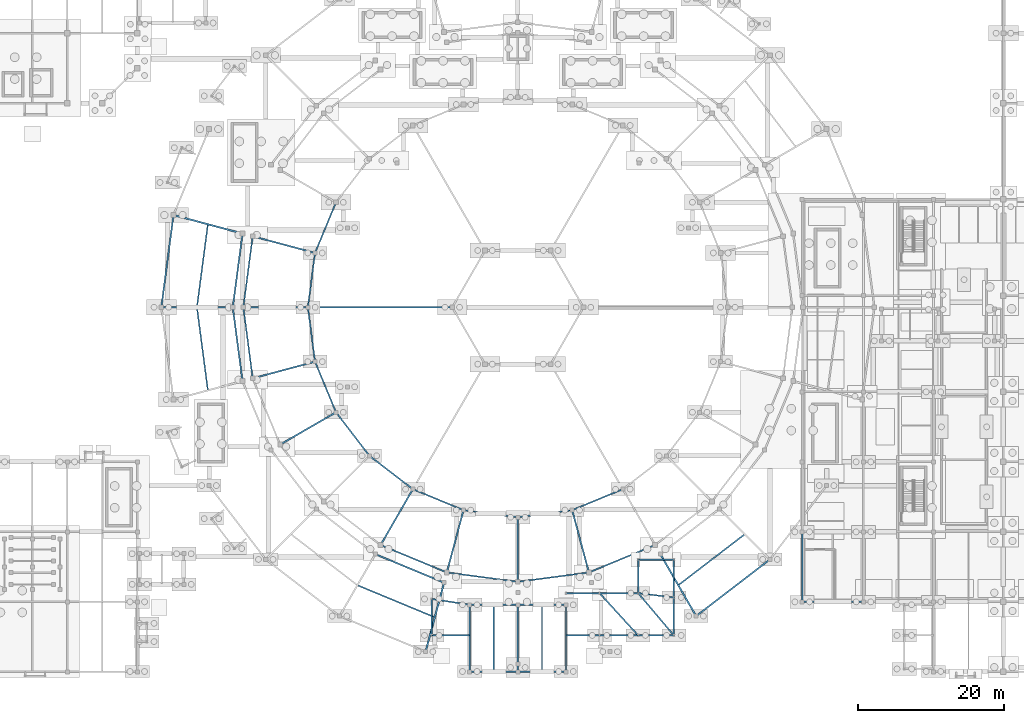
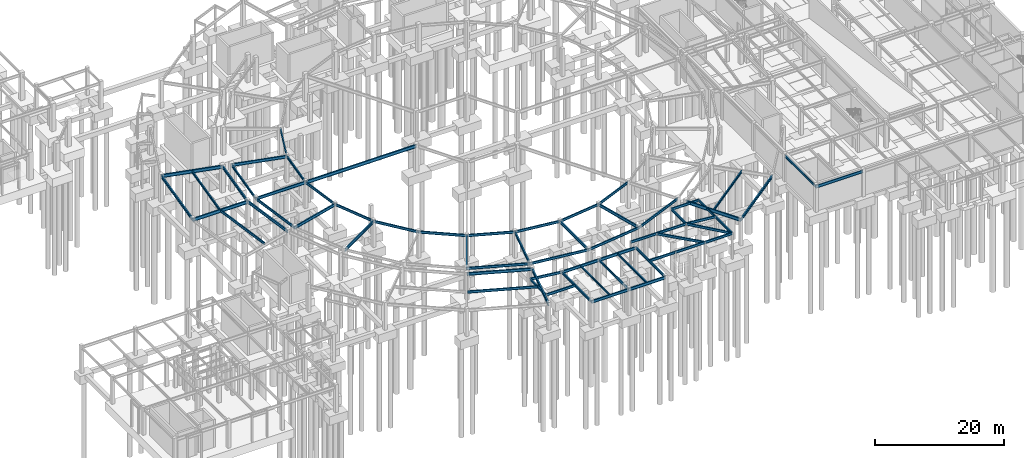
# One storey, part 38 of 55: 64 beams.
"""IFC4 building model written with IfcOpenShell, lengths in metres."""

import ifcopenshell
import ifcopenshell.guid

model = None  # the IFC model being written
_history = None  # IfcOwnerHistory: only IFC2X3 demands one
_inside = {}  # id of a spatial element -> (the spatial element, [elements in it])
_under = {}  # id of a project, library or spatial element -> (it, [spatial elements below it])
_declared = {}  # id of a project -> (the project, [libraries it declares])
_typed = {}  # id of a type object -> (the type object, [elements of that type])
_made_of = {}  # id of a material, layer set ... -> (it, [elements and type objects made of it])


def new_model(schema):
    """Start an empty IFC model of exactly this schema.

    Asked for "IFC4X3", IfcOpenShell would pick the latest addendum, in which some entities
    have other attributes; the version numbers below select the first issue.
    IFC2X3 requires an IfcOwnerHistory on every rooted entity: one is made here for all.
    """
    global model, _history
    if schema == "IFC4X3":
        model = ifcopenshell.file(schema_version=(4, 3, 0, 0))
    else:
        model = ifcopenshell.file(schema=schema)
    _inside.clear()
    _under.clear()
    _declared.clear()
    _typed.clear()
    _made_of.clear()
    _history = None
    if model.schema == "IFC2X3":
        org = make("IfcOrganization", Name="unknown")
        user = make(
            "IfcPersonAndOrganization",
            ThePerson=make("IfcPerson", FamilyName="unknown"),
            TheOrganization=org,
        )
        app = make(
            "IfcApplication",
            ApplicationDeveloper=org,
            Version="unknown",
            ApplicationFullName="unknown",
            ApplicationIdentifier="unknown",
        )
        _history = make(
            "IfcOwnerHistory",
            OwningUser=user,
            OwningApplication=app,
            ChangeAction="ADDED",
            CreationDate=0,
        )
    return model


def make(cls, **values):
    """One entity of the class cls with the attributes given. An attribute that is None is left unset."""
    return model.create_entity(
        cls, **{name: value for name, value in values.items() if value is not None}
    )


def rooted(cls, **values):
    """An entity with a GlobalId (a new one), such as an element, a storey or a relation."""
    return make(cls, GlobalId=ifcopenshell.guid.new(), OwnerHistory=_history, **values)


def si_unit(unit_type, name, prefix=None):
    """IfcSIUnit, for example si_unit("LENGTHUNIT", "METRE", prefix="MILLI")."""
    return make("IfcSIUnit", UnitType=unit_type, Prefix=prefix, Name=name)


def assignment(units):
    """IfcUnitAssignment: the units of a project."""
    return None if units is None else make("IfcUnitAssignment", Units=units)


def point(xyz):
    """IfcCartesianPoint."""
    return None if xyz is None else make("IfcCartesianPoint", Coordinates=xyz)


def direction(xyz):
    """IfcDirection."""
    return None if xyz is None else make("IfcDirection", DirectionRatios=xyz)


def frame(location, z_axis=None, x_axis=None):
    """IfcAxis2Placement3D, a coordinate frame: its origin and axes. An axis left out is left unset."""
    return make(
        "IfcAxis2Placement3D",
        Location=point(location),
        Axis=direction(z_axis),
        RefDirection=direction(x_axis),
    )


def frame_2d(location, x_axis=None):
    """IfcAxis2Placement2D, a coordinate frame in the plane: its origin and x axis."""
    return make(
        "IfcAxis2Placement2D", Location=point(location), RefDirection=direction(x_axis)
    )


def origin():
    """The frame at (0, 0, 0) with its axes left unset."""
    return frame((0.0, 0.0, 0.0))


def origin_2d():
    """The frame at (0, 0) in the plane with its x axis left unset."""
    return frame_2d((0.0, 0.0))


def place(relative_to, where):
    """IfcLocalPlacement: puts the frame where relative to a parent placement (None: the world)."""
    return make(
        "IfcLocalPlacement", PlacementRelTo=relative_to, RelativePlacement=where
    )


def context(
    kind, dimensions, precision=None, world=None, true_north=None, identifier=None
):
    """IfcGeometricRepresentationContext, for example the 3D "Model" context."""
    return make(
        "IfcGeometricRepresentationContext",
        ContextIdentifier=identifier,
        ContextType=kind,
        CoordinateSpaceDimension=dimensions,
        Precision=precision,
        WorldCoordinateSystem=world,
        TrueNorth=true_north,
    )


def subcontext(parent, identifier, kind, view, scale=None):
    """IfcGeometricRepresentationSubContext, for example "Body" below "Model"."""
    return make(
        "IfcGeometricRepresentationSubContext",
        ContextIdentifier=identifier,
        ContextType=kind,
        ParentContext=parent,
        TargetScale=scale,
        TargetView=view,
    )


def project(units=None, contexts=None):
    """IfcProject with its units and contexts."""
    return rooted(
        "IfcProject",
        Name="project",
        RepresentationContexts=contexts,
        UnitsInContext=assignment(units),
    )


def spatial(cls, under=None, at=None, **own):
    """A site, building, storey or space (cls), placed at a placement, below another one or the project."""
    s = rooted(cls, ObjectPlacement=at, **own)
    if under is not None:
        _under.setdefault(under.id(), (under, []))[1].append(s)
    return s


def profile(cls, at=None, kind="AREA", **sizes):
    """A parametric profile (cls). Its sizes go by their IFC names, for example OverallWidth=200.0."""
    return make(cls, ProfileType=kind, Position=at, **sizes)


def i_section(**sizes):
    """IfcIShapeProfileDef."""
    return profile("IfcIShapeProfileDef", **sizes)


def extrude(swept, where, along, depth):
    """IfcExtrudedAreaSolid: the profile swept, set in the frame where, extruded along a direction by depth."""
    return make(
        "IfcExtrudedAreaSolid",
        SweptArea=swept,
        Position=where,
        ExtrudedDirection=direction(along),
        Depth=depth,
    )


def shape(context_of_items, identifier, shape_type, items):
    """IfcShapeRepresentation: the items that make up one representation, for example the "Body"."""
    return make(
        "IfcShapeRepresentation",
        ContextOfItems=context_of_items,
        RepresentationIdentifier=identifier,
        RepresentationType=shape_type,
        Items=items,
    )


def material(Name=None, Category=None):
    """IfcMaterial."""
    return make("IfcMaterial", Name=Name, Category=Category)


def material_profile(
    of_material, cross_section, Name=None, Category=None, Priority=None
):
    """IfcMaterialProfile: a cross section and its material."""
    return make(
        "IfcMaterialProfile",
        Name=Name,
        Material=of_material,
        Profile=cross_section,
        Priority=Priority,
        Category=Category,
    )


def profile_set(profiles, Name=None, composite=None):
    """IfcMaterialProfileSet."""
    return make(
        "IfcMaterialProfileSet",
        Name=Name,
        MaterialProfiles=profiles,
        CompositeProfile=composite,
    )


def made_of(thing, what):
    """Note that an element or type object is made of a material, layer set ...; save() writes the relation."""
    if what is not None:
        _made_of.setdefault(what.id(), (what, []))[1].append(thing)
    return thing


def type_object(cls, material=None, **own):
    """A type object (cls), such as IfcWallType, which elements share."""
    return made_of(rooted(cls, **own), material)


def element(
    cls,
    number,
    at=None,
    inside=None,
    cuts=None,
    type_object=None,
    material=None,
    context=None,
    identifier="Body",
    shape_type=None,
    held_by="IfcProductDefinitionShape",
    body=None,
    shapes=None,
    **own,
):
    """One element of the class cls, such as IfcWall. Its Tag is "e" and its number.

    at: its placement. inside: the storey or other place that contains it. cuts: it is an
    opening in that element (IfcRelVoidsElement). A single representation is given by context,
    identifier, shape_type and body (its items); several are given by shapes. held_by: the class
    of the entity that holds the representations. save() writes the other relations.
    """
    e = rooted(cls, Tag="e%d" % number, ObjectPlacement=at, **own)
    if body is not None:
        shapes = [shape(context, identifier, shape_type, body)]
    if shapes is not None:
        e.Representation = make(held_by, Representations=shapes)
    if inside is not None:
        _inside.setdefault(inside.id(), (inside, []))[1].append(e)
    if cuts is not None:
        rooted(
            "IfcRelVoidsElement", RelatingBuildingElement=cuts, RelatedOpeningElement=e
        )
    if type_object is not None:
        _typed.setdefault(type_object.id(), (type_object, []))[1].append(e)
    return made_of(e, material)


def aggregate(whole, parts):
    """IfcRelAggregates: a whole, such as a stair, and the parts it consists of."""
    return rooted("IfcRelAggregates", RelatingObject=whole, RelatedObjects=parts)


def save(model, path):
    """Write the relations noted so far, then the file.

    IfcRelAggregates (storeys below a building ...), IfcRelContainedInSpatialStructure (elements
    in a storey), IfcRelDefinesByType, IfcRelAssociatesMaterial and IfcRelDeclares: one each for
    every whole, place, type object, material and project.
    """
    for whole, parts in _under.values():
        aggregate(whole, parts)
    for where, things in _inside.values():
        rooted(
            "IfcRelContainedInSpatialStructure",
            RelatedElements=things,
            RelatingStructure=where,
        )
    for kind, things in _typed.values():
        rooted("IfcRelDefinesByType", RelatedObjects=things, RelatingType=kind)
    for what, things in _made_of.values():
        rooted("IfcRelAssociatesMaterial", RelatedObjects=things, RelatingMaterial=what)
    for by, libraries in _declared.values():
        rooted("IfcRelDeclares", RelatingContext=by, RelatedDefinitions=libraries)
    model.write(path)


model = new_model("IFC4")

# Units and contexts
model_context = context("Model", 3, precision=1e-05, world=origin(), true_north=direction((0.0, 1.0)))
body_context = subcontext(model_context, "Body", "Model", "MODEL_VIEW")
ifc_project = project(units=[si_unit("LENGTHUNIT", "METRE"), si_unit("AREAUNIT", "SQUARE_METRE"), si_unit("VOLUMEUNIT", "CUBIC_METRE"), si_unit("PLANEANGLEUNIT", "RADIAN"), si_unit("MASSUNIT", "GRAM", prefix="KILO")], contexts=[model_context])

# Site, building, storey
site_placement = place(None, origin())
site = spatial("IfcSite", under=ifc_project, at=site_placement, CompositionType="ELEMENT")
building_placement = place(site_placement, origin())
building = spatial("IfcBuilding", under=site, at=building_placement, Name="Almandine Court Research Institute", CompositionType="ELEMENT")
storey_placement = place(building_placement, frame((0.0, 0.0, -5.25)))
storey = spatial("IfcBuildingStorey", under=building, at=storey_placement, Name="B1", CompositionType="ELEMENT", Elevation=-5.25)

# Beams
ifc_material = material(Name="Steel ASTM A992 Grade 50", Category="steel")
ifc_material_profile_1 = material_profile(ifc_material, i_section(OverallWidth=0.18994140625, OverallDepth=0.45703125, WebThickness=0.009033203125, FlangeThickness=0.014892578125, at=origin_2d()), Name="W460x74")
ifc_profile_set_1 = profile_set([ifc_material_profile_1], Name="Steel ASTM A992 Grade 50")
beam_type_1 = type_object("IfcBeamType", Name="Beam-B-01", PredefinedType="BEAM", material=ifc_profile_set_1)
beam_1_placement = place(storey_placement, frame((126.0, 15.60009765625, 4.719970703125), z_axis=(0.0, 1.0, 0.0), x_axis=(-1.0, 0.0, 0.0)))
element("IfcBeam", 1, at=beam_1_placement, inside=storey, type_object=beam_type_1, Name="B1 B1G Primary Y Girder", PredefinedType="BEAM", context=body_context, shape_type="SweptSolid", body=[
    extrude(i_section(OverallWidth=0.18994140625, OverallDepth=0.45703125, WebThickness=0.009033203125, FlangeThickness=0.014892578125, at=origin_2d()), origin(), (0.0, 0.0, 1.0), 9.599853515625),
])
for number, where, z_axis, x_axis, name in (
    (2, (80.39990234375, 6.0, 4.77099609375), (0.0, 1.0, 0.0), (-1.0, 0.0, 0.0), "B1 PSH-S Primary Y Girder"),
    (3, (87.0, 6.0, 4.77099609375), (0.0, 1.0, 0.0), (-1.0, 0.0, 0.0), "B1 PSH-S Primary Y Girder"),
    (4, (93.60009765625, 6.0, 4.77099609375), (0.0, 1.0, 0.0), (-1.0, 0.0, 0.0), "B1 PSH-S Primary Y Girder"),
):
    element("IfcBeam", number, at=place(storey_placement, frame(where, z_axis=z_axis, x_axis=x_axis)), inside=storey, type_object=beam_type_1, Name=name, PredefinedType="BEAM", context=body_context, shape_type="SweptSolid", body=[
        extrude(i_section(OverallWidth=0.18994140625, OverallDepth=0.45703125, WebThickness=0.009033203125, FlangeThickness=0.014892578125, at=origin_2d()), origin(), (0.0, 0.0, 1.0), 9.199951171875),
    ])
for number, where, z_axis, x_axis, name in (
    (5, (44.468017578125, 67.27197265625, 4.77099609375), (-0.130512904889, -0.991446610594, 0.0), (0.991446610594, -0.130512904889, 0.0), "B1 Drum MID Ring Beam 11"),
    (6, (43.0, 55.8798828125, 4.77099609375), (0.130512904889, -0.991446610594, 0.0), (0.991446610594, 0.130512904889, 0.0), "B1 Drum MID Ring Beam 12"),
):
    element("IfcBeam", number, at=place(storey_placement, frame(where, z_axis=z_axis, x_axis=x_axis)), inside=storey, type_object=beam_type_1, Name=name, PredefinedType="BEAM", context=body_context, shape_type="SweptSolid", body=[
        extrude(i_section(OverallWidth=0.18994140625, OverallDepth=0.45703125, WebThickness=0.009033203125, FlangeThickness=0.014892578125, at=origin_2d()), origin(), (0.0, 0.0, 1.0), 11.248046875),
    ])
beam_2_placement = place(storey_placement, frame((65.10400390625, 17.8349609375, 4.77099609375), z_axis=(0.923867365447, -0.382712804936, 0.0), x_axis=(0.382712804936, 0.923867365447, 0.0)))
element("IfcBeam", 7, at=beam_2_placement, inside=storey, type_object=beam_type_1, Name="B1 Drum MID Ring Beam 16", PredefinedType="BEAM", context=body_context, shape_type="SweptSolid", body=[
    extrude(i_section(OverallWidth=0.18994140625, OverallDepth=0.45703125, WebThickness=0.009033203125, FlangeThickness=0.014892578125, at=origin_2d()), origin(), (0.0, 0.0, 1.0), 11.24853515625),
])
beam_3_placement = place(storey_placement, frame((109.10400390625, 17.955078125, 4.77099609375), z_axis=(0.793343941772, 0.608773677202, 0.0), x_axis=(-0.608773677202, 0.793343941772, 0.0)))
element("IfcBeam", 8, at=beam_3_placement, inside=storey, type_object=beam_type_1, Name="B1 Drum MID Ring Beam 20", PredefinedType="BEAM", context=body_context, shape_type="SweptSolid", body=[
    extrude(i_section(OverallWidth=0.18994140625, OverallDepth=0.45703125, WebThickness=0.009033203125, FlangeThickness=0.014892578125, at=origin_2d()), origin(), (0.0, 0.0, 1.0), 11.248779296875),
])
beam_4_placement = place(storey_placement, frame((62.05810546875, 70.39990234375, 4.77099609375), z_axis=(-0.382700732442, -0.923872366395, 0.0), x_axis=(0.923872366395, -0.382700732442, 0.0)))
element("IfcBeam", 9, at=beam_4_placement, inside=storey, type_object=beam_type_1, Name="B1 Atrium Gallery Edge Beam", PredefinedType="BEAM", context=body_context, shape_type="SweptSolid", body=[
    extrude(i_section(OverallWidth=0.18994140625, OverallDepth=0.45703125, WebThickness=0.009033203125, FlangeThickness=0.014892578125, at=origin_2d()), origin(), (0.0, 0.0, 1.0), 7.51806640625),
])
beam_5_placement = place(storey_placement, frame((50.633056640625, 65.7451171875, 4.77099609375), z_axis=(-0.130525188913, -0.991444993461, 0.0), x_axis=(0.991444993461, -0.130525188913, 0.0)))
element("IfcBeam", 10, at=beam_5_placement, inside=storey, type_object=beam_type_1, Name="B1 Atrium Outer Ring Beam", PredefinedType="BEAM", context=body_context, shape_type="SweptSolid", body=[
    extrude(i_section(OverallWidth=0.18994140625, OverallDepth=0.45703125, WebThickness=0.009033203125, FlangeThickness=0.014892578125, at=origin_2d()), origin(), (0.0, 0.0, 1.0), 9.8291015625),
])
beam_6_placement = place(storey_placement, frame((59.180908203125, 63.4541015625, 4.77099609375), z_axis=(-0.130474672489, -0.991451642713, 0.0), x_axis=(0.991451642713, -0.130474672489, 0.0)))
element("IfcBeam", 11, at=beam_6_placement, inside=storey, type_object=beam_type_1, Name="B1 Atrium Gallery Edge Beam", PredefinedType="BEAM", context=body_context, shape_type="SweptSolid", body=[
    extrude(i_section(OverallWidth=0.18994140625, OverallDepth=0.45703125, WebThickness=0.009033203125, FlangeThickness=0.014892578125, at=origin_2d()), origin(), (0.0, 0.0, 1.0), 7.518310546875),
])
beam_7_placement = place(storey_placement, frame((49.35009765625, 56.0, 4.77099609375), z_axis=(0.130525188913, -0.991444993461, 0.0), x_axis=(0.991444993461, 0.130525188913, 0.0)))
element("IfcBeam", 12, at=beam_7_placement, inside=storey, type_object=beam_type_1, Name="B1 Atrium Outer Ring Beam", PredefinedType="BEAM", context=body_context, shape_type="SweptSolid", body=[
    extrude(i_section(OverallWidth=0.18994140625, OverallDepth=0.45703125, WebThickness=0.009033203125, FlangeThickness=0.014892578125, at=origin_2d()), origin(), (0.0, 0.0, 1.0), 9.8291015625),
])
beam_8_placement = place(storey_placement, frame((58.199951171875, 56.0, 4.77099609375), z_axis=(0.130474672489, -0.991451642713, 0.0), x_axis=(0.991451642713, 0.130474672489, 0.0)))
element("IfcBeam", 13, at=beam_8_placement, inside=storey, type_object=beam_type_1, Name="B1 Atrium Gallery Edge Beam", PredefinedType="BEAM", context=body_context, shape_type="SweptSolid", body=[
    extrude(i_section(OverallWidth=0.18994140625, OverallDepth=0.45703125, WebThickness=0.009033203125, FlangeThickness=0.014892578125, at=origin_2d()), origin(), (0.0, 0.0, 1.0), 7.518310546875),
])
beam_9_placement = place(storey_placement, frame((59.180908203125, 48.5458984375, 4.77099609375), z_axis=(0.382700732442, -0.923872366395, 0.0), x_axis=(0.923872366395, 0.382700732442, 0.0)))
element("IfcBeam", 14, at=beam_9_placement, inside=storey, type_object=beam_type_1, Name="B1 Atrium Gallery Edge Beam", PredefinedType="BEAM", context=body_context, shape_type="SweptSolid", body=[
    extrude(i_section(OverallWidth=0.18994140625, OverallDepth=0.45703125, WebThickness=0.009033203125, FlangeThickness=0.014892578125, at=origin_2d()), origin(), (0.0, 0.0, 1.0), 7.51806640625),
])
for number, where, z_axis, x_axis, name in (
    (15, (62.05810546875, 41.60009765625, 4.77099609375), (0.608738941187, -0.793370595297, 0.0), (0.793370595297, 0.608738941187, 0.0), "B1 Atrium Gallery Edge Beam"),
    (16, (66.635009765625, 35.635009765625, 4.77099609375), (0.793370595297, -0.608738941187, 0.0), (0.608738941187, 0.793370595297, 0.0), "B1 Atrium Gallery Edge Beam"),
):
    element("IfcBeam", number, at=place(storey_placement, frame(where, z_axis=z_axis, x_axis=x_axis)), inside=storey, type_object=beam_type_1, Name=name, PredefinedType="BEAM", context=body_context, shape_type="SweptSolid", body=[
        extrude(i_section(OverallWidth=0.18994140625, OverallDepth=0.45703125, WebThickness=0.009033203125, FlangeThickness=0.014892578125, at=origin_2d()), origin(), (0.0, 0.0, 1.0), 7.5185546875),
    ])
beam_10_placement = place(storey_placement, frame((68.175048828125, 23.39404296875, 4.77099609375), z_axis=(0.92387967829, -0.382683080424, 0.0), x_axis=(0.382683080424, 0.92387967829, 0.0)))
element("IfcBeam", 17, at=beam_10_placement, inside=storey, type_object=beam_type_1, Name="B1 Atrium Outer Ring Beam", PredefinedType="BEAM", context=body_context, shape_type="SweptSolid", body=[
    extrude(i_section(OverallWidth=0.18994140625, OverallDepth=0.45703125, WebThickness=0.009033203125, FlangeThickness=0.014892578125, at=origin_2d()), origin(), (0.0, 0.0, 1.0), 9.827880859375),
])
beam_11_placement = place(storey_placement, frame((72.60009765625, 31.05810546875, 4.77099609375), z_axis=(0.923872366395, -0.382700732442, 0.0), x_axis=(0.382700732442, 0.923872366395, 0.0)))
element("IfcBeam", 18, at=beam_11_placement, inside=storey, type_object=beam_type_1, Name="B1 Atrium Gallery Edge Beam", PredefinedType="BEAM", context=body_context, shape_type="SweptSolid", body=[
    extrude(i_section(OverallWidth=0.18994140625, OverallDepth=0.45703125, WebThickness=0.009033203125, FlangeThickness=0.014892578125, at=origin_2d()), origin(), (0.0, 0.0, 1.0), 7.51806640625),
])
beam_12_placement = place(storey_placement, frame((77.2548828125, 19.633056640625, 4.77099609375), z_axis=(0.991444993461, -0.130525188913, 0.0), x_axis=(0.130525188913, 0.991444993461, 0.0)))
element("IfcBeam", 19, at=beam_12_placement, inside=storey, type_object=beam_type_1, Name="B1 Atrium Outer Ring Beam", PredefinedType="BEAM", context=body_context, shape_type="SweptSolid", body=[
    extrude(i_section(OverallWidth=0.18994140625, OverallDepth=0.45703125, WebThickness=0.009033203125, FlangeThickness=0.014892578125, at=origin_2d()), origin(), (0.0, 0.0, 1.0), 9.8291015625),
])
beam_13_placement = place(storey_placement, frame((79.5458984375, 28.180908203125, 4.77099609375), z_axis=(0.991451642713, -0.130474672489, 0.0), x_axis=(0.130474672489, 0.991451642713, 0.0)))
element("IfcBeam", 20, at=beam_13_placement, inside=storey, type_object=beam_type_1, Name="B1 Atrium Gallery Edge Beam", PredefinedType="BEAM", context=body_context, shape_type="SweptSolid", body=[
    extrude(i_section(OverallWidth=0.18994140625, OverallDepth=0.45703125, WebThickness=0.009033203125, FlangeThickness=0.014892578125, at=origin_2d()), origin(), (0.0, 0.0, 1.0), 7.518310546875),
])
beam_14_placement = place(storey_placement, frame((87.0, 18.35009765625, 4.77099609375), z_axis=(0.991444993461, 0.130525188913, 0.0), x_axis=(-0.130525188913, 0.991444993461, 0.0)))
element("IfcBeam", 21, at=beam_14_placement, inside=storey, type_object=beam_type_1, Name="B1 Atrium Outer Ring Beam", PredefinedType="BEAM", context=body_context, shape_type="SweptSolid", body=[
    extrude(i_section(OverallWidth=0.18994140625, OverallDepth=0.45703125, WebThickness=0.009033203125, FlangeThickness=0.014892578125, at=origin_2d()), origin(), (0.0, 0.0, 1.0), 9.8291015625),
])
beam_15_placement = place(storey_placement, frame((87.0, 27.199951171875, 4.77099609375), z_axis=(0.991451642713, 0.130474672489, 0.0), x_axis=(-0.130474672489, 0.991451642713, 0.0)))
element("IfcBeam", 22, at=beam_15_placement, inside=storey, type_object=beam_type_1, Name="B1 Atrium Gallery Edge Beam", PredefinedType="BEAM", context=body_context, shape_type="SweptSolid", body=[
    extrude(i_section(OverallWidth=0.18994140625, OverallDepth=0.45703125, WebThickness=0.009033203125, FlangeThickness=0.014892578125, at=origin_2d()), origin(), (0.0, 0.0, 1.0), 7.518310546875),
])
beam_16_placement = place(storey_placement, frame((96.7451171875, 19.633056640625, 4.77099609375), z_axis=(0.92387967829, 0.382683080424, 0.0), x_axis=(-0.382683080424, 0.92387967829, 0.0)))
element("IfcBeam", 23, at=beam_16_placement, inside=storey, type_object=beam_type_1, Name="B1 Atrium Outer Ring Beam", PredefinedType="BEAM", context=body_context, shape_type="SweptSolid", body=[
    extrude(i_section(OverallWidth=0.18994140625, OverallDepth=0.45703125, WebThickness=0.009033203125, FlangeThickness=0.014892578125, at=origin_2d()), origin(), (0.0, 0.0, 1.0), 9.827880859375),
])
beam_17_placement = place(storey_placement, frame((94.4541015625, 28.180908203125, 4.77099609375), z_axis=(0.923872366395, 0.382700732442, 0.0), x_axis=(-0.382700732442, 0.923872366395, 0.0)))
element("IfcBeam", 24, at=beam_17_placement, inside=storey, type_object=beam_type_1, Name="B1 Atrium Gallery Edge Beam", PredefinedType="BEAM", context=body_context, shape_type="SweptSolid", body=[
    extrude(i_section(OverallWidth=0.18994140625, OverallDepth=0.45703125, WebThickness=0.009033203125, FlangeThickness=0.014892578125, at=origin_2d()), origin(), (0.0, 0.0, 1.0), 7.51806640625),
])
beam_18_placement = place(storey_placement, frame((93.60009765625, 16.800048828125, 4.822021484375), z_axis=(1.0, 0.0, 0.0), x_axis=(0.0, 1.0, 0.0)))
element("IfcBeam", 25, at=beam_18_placement, inside=storey, type_object=beam_type_1, Name="B1 Forecourt Tie Beam 1", PredefinedType="BEAM", context=body_context, shape_type="SweptSolid", body=[
    extrude(i_section(OverallWidth=0.18994140625, OverallDepth=0.45703125, WebThickness=0.009033203125, FlangeThickness=0.014892578125, at=origin_2d()), origin(), (0.0, 0.0, 1.0), 4.599853515625),
])
beam_19_placement = place(storey_placement, frame((98.199951171875, 16.800048828125, 4.822021484375), z_axis=(1.0, 0.0, 0.0), x_axis=(0.0, 1.0, 0.0)))
element("IfcBeam", 26, at=beam_19_placement, inside=storey, type_object=beam_type_1, Name="B1 Forecourt Tie Beam 2", PredefinedType="BEAM", context=body_context, shape_type="SweptSolid", body=[
    extrude(i_section(OverallWidth=0.18994140625, OverallDepth=0.45703125, WebThickness=0.009033203125, FlangeThickness=0.014892578125, at=origin_2d()), origin(), (0.0, 0.0, 1.0), 5.300048828125),
])
beam_20_placement = place(storey_placement, frame((103.5, 16.800048828125, 4.822021484375), z_axis=(0.0, 1.0, 0.0), x_axis=(-1.0, 0.0, 0.0)))
element("IfcBeam", 27, at=beam_20_placement, inside=storey, type_object=beam_type_1, Name="B1 Forecourt Tie Beam 3", PredefinedType="BEAM", context=body_context, shape_type="SweptSolid", body=[
    extrude(i_section(OverallWidth=0.18994140625, OverallDepth=0.45703125, WebThickness=0.009033203125, FlangeThickness=0.014892578125, at=origin_2d()), origin(), (0.0, 0.0, 1.0), 4.599853515625),
])
beam_21_placement = place(storey_placement, frame((75.199951171875, 11.0, 4.822021484375), z_axis=(1.0, 0.0, 0.0), x_axis=(0.0, 1.0, 0.0)))
element("IfcBeam", 28, at=beam_21_placement, inside=storey, type_object=beam_type_1, Name="B1 Threshold Support Beam PAD-PSH-W-1", PredefinedType="BEAM", context=body_context, shape_type="SweptSolid", body=[
    extrude(i_section(OverallWidth=0.18994140625, OverallDepth=0.45703125, WebThickness=0.009033203125, FlangeThickness=0.014892578125, at=origin_2d()), origin(), (0.0, 0.0, 1.0), 5.199951171875),
])
beam_22_placement = place(storey_placement, frame((75.199951171875, 16.0, 4.76904296875), z_axis=(0.98837008819, -0.152067645382, 0.0), x_axis=(0.152067645382, 0.98837008819, 0.0)))
element("IfcBeam", 29, at=beam_22_placement, inside=storey, type_object=beam_type_1, Name="B1 Threshold Support Beam PAD-PSH-W-2", PredefinedType="BEAM", context=body_context, shape_type="SweptSolid", body=[
    extrude(i_section(OverallWidth=0.18994140625, OverallDepth=0.45703125, WebThickness=0.009033203125, FlangeThickness=0.014892578125, at=origin_2d()), origin(), (0.0, 0.0, 1.0), 5.26123046875),
])
beam_23_placement = place(storey_placement, frame((75.199951171875, 11.0, 4.76904296875), z_axis=(0.0, 1.0, 0.0), x_axis=(-1.0, 0.0, 0.0)))
element("IfcBeam", 30, at=beam_23_placement, inside=storey, type_object=beam_type_1, Name="B1 Threshold Edge Girder PAD-PSH-W-1", PredefinedType="BEAM", context=body_context, shape_type="SweptSolid", body=[
    extrude(i_section(OverallWidth=0.18994140625, OverallDepth=0.45703125, WebThickness=0.009033203125, FlangeThickness=0.014892578125, at=origin_2d()), origin(), (0.0, 0.0, 1.0), 5.0),
])
beam_24_placement = place(storey_placement, frame((98.199951171875, 11.0, 4.822021484375), z_axis=(-1.0, 0.0, 0.0), x_axis=(0.0, -1.0, 0.0)))
element("IfcBeam", 31, at=beam_24_placement, inside=storey, type_object=beam_type_1, Name="B1 Threshold Support Beam PAD-PSH-E-1", PredefinedType="BEAM", context=body_context, shape_type="SweptSolid", body=[
    extrude(i_section(OverallWidth=0.18994140625, OverallDepth=0.45703125, WebThickness=0.009033203125, FlangeThickness=0.014892578125, at=origin_2d()), origin(), (0.0, 0.0, 1.0), 4.599853515625),
])
beam_25_placement = place(storey_placement, frame((103.5, 11.0, 4.822021484375), z_axis=(-0.674571391842, 0.738209616104, 0.0), x_axis=(-0.738209616104, -0.674571391842, 0.0)))
element("IfcBeam", 32, at=beam_25_placement, inside=storey, type_object=beam_type_1, Name="B1 Threshold Support Beam PAD-PSH-E-2", PredefinedType="BEAM", context=body_context, shape_type="SweptSolid", body=[
    extrude(i_section(OverallWidth=0.18994140625, OverallDepth=0.45703125, WebThickness=0.009033203125, FlangeThickness=0.014892578125, at=origin_2d()), origin(), (0.0, 0.0, 1.0), 7.85693359375),
])
beam_26_placement = place(storey_placement, frame((108.39990234375, 11.0, 4.822021484375), z_axis=(-0.645340973697, 0.763894644351, 0.0), x_axis=(-0.763894644351, -0.645340973697, 0.0)))
element("IfcBeam", 33, at=beam_26_placement, inside=storey, type_object=beam_type_1, Name="B1 Threshold Support Beam PAD-PSH-E-3", PredefinedType="BEAM", context=body_context, shape_type="SweptSolid", body=[
    extrude(i_section(OverallWidth=0.18994140625, OverallDepth=0.45703125, WebThickness=0.009033203125, FlangeThickness=0.014892578125, at=origin_2d()), origin(), (0.0, 0.0, 1.0), 7.5927734375),
])
beam_27_placement = place(storey_placement, frame((108.39990234375, 16.199951171875, 4.822021484375), z_axis=(-0.992583709667, 0.121563067183, 0.0), x_axis=(-0.121563067183, -0.992583709667, 0.0)))
element("IfcBeam", 34, at=beam_27_placement, inside=storey, type_object=beam_type_1, Name="B1 Threshold Support Beam PAD-PSH-E-4", PredefinedType="BEAM", context=body_context, shape_type="SweptSolid", body=[
    extrude(i_section(OverallWidth=0.18994140625, OverallDepth=0.45703125, WebThickness=0.009033203125, FlangeThickness=0.014892578125, at=origin_2d()), origin(), (0.0, 0.0, 1.0), 4.9365234375),
])
beam_28_placement = place(storey_placement, frame((108.39990234375, 21.39990234375, 4.76904296875), z_axis=(-1.0, 0.0, 0.0), x_axis=(0.0, -1.0, 0.0)))
element("IfcBeam", 35, at=beam_28_placement, inside=storey, type_object=beam_type_1, Name="B1 Threshold Support Beam PAD-PSH-E-5", PredefinedType="BEAM", context=body_context, shape_type="SweptSolid", body=[
    extrude(i_section(OverallWidth=0.18994140625, OverallDepth=0.45703125, WebThickness=0.009033203125, FlangeThickness=0.014892578125, at=origin_2d()), origin(), (0.0, 0.0, 1.0), 4.89990234375),
])
beam_29_placement = place(storey_placement, frame((98.199951171875, 11.0, 4.822021484375), z_axis=(1.0, 0.0, 0.0), x_axis=(0.0, 1.0, 0.0)))
element("IfcBeam", 36, at=beam_29_placement, inside=storey, type_object=beam_type_1, Name="B1 Threshold Edge Girder PAD-PSH-E-1", PredefinedType="BEAM", context=body_context, shape_type="SweptSolid", body=[
    extrude(i_section(OverallWidth=0.18994140625, OverallDepth=0.45703125, WebThickness=0.009033203125, FlangeThickness=0.014892578125, at=origin_2d()), origin(), (0.0, 0.0, 1.0), 5.300048828125),
])
beam_30_placement = place(storey_placement, frame((103.5, 11.0, 4.822021484375), z_axis=(1.0, 0.0, 0.0), x_axis=(0.0, 1.0, 0.0)))
element("IfcBeam", 37, at=beam_30_placement, inside=storey, type_object=beam_type_1, Name="B1 Threshold Edge Girder PAD-PSH-E-2", PredefinedType="BEAM", context=body_context, shape_type="SweptSolid", body=[
    extrude(i_section(OverallWidth=0.18994140625, OverallDepth=0.45703125, WebThickness=0.009033203125, FlangeThickness=0.014892578125, at=origin_2d()), origin(), (0.0, 0.0, 1.0), 4.89990234375),
])
for number, where, z_axis, x_axis, name in (
    (38, (108.39990234375, 11.0, 4.822021484375), (0.0, 1.0, 0.0), (-1.0, 0.0, 0.0), "B1 Threshold Edge Girder PAD-PSH-E-3"),
    (39, (108.39990234375, 16.199951171875, 4.76904296875), (0.0, 1.0, 0.0), (-1.0, 0.0, 0.0), "B1 Threshold Edge Girder PAD-PSH-E-4"),
):
    element("IfcBeam", number, at=place(storey_placement, frame(where, z_axis=z_axis, x_axis=x_axis)), inside=storey, type_object=beam_type_1, Name=name, PredefinedType="BEAM", context=body_context, shape_type="SweptSolid", body=[
        extrude(i_section(OverallWidth=0.18994140625, OverallDepth=0.45703125, WebThickness=0.009033203125, FlangeThickness=0.014892578125, at=origin_2d()), origin(), (0.0, 0.0, 1.0), 5.199951171875),
    ])
ifc_material_profile_2 = material_profile(ifc_material, i_section(OverallWidth=0.172119140625, OverallDepth=0.35791015625, WebThickness=0.008056640625, FlangeThickness=0.012939453125, at=origin_2d()), Name="W360x57")
ifc_profile_set_2 = profile_set([ifc_material_profile_2], Name="Steel ASTM A992 Grade 50")
beam_type_2 = type_object("IfcBeamType", Name="Beam-B-03", PredefinedType="JOIST", material=ifc_profile_set_2)
for number, where, z_axis, x_axis, name in (
    (40, (83.699951171875, 6.10400390625, 4.821044921875), (0.0, 1.0, 0.0), (-1.0, 0.0, 0.0), "B1 PSH-S Composite Secondary Beam"),
    (41, (90.300048828125, 6.10400390625, 4.821044921875), (0.0, 1.0, 0.0), (-1.0, 0.0, 0.0), "B1 PSH-S Composite Secondary Beam"),
):
    element("IfcBeam", number, at=place(storey_placement, frame(where, z_axis=z_axis, x_axis=x_axis)), inside=storey, type_object=beam_type_2, Name=name, PredefinedType="JOIST", context=body_context, shape_type="SweptSolid", body=[
        extrude(i_section(OverallWidth=0.172119140625, OverallDepth=0.35791015625, WebThickness=0.008056640625, FlangeThickness=0.012939453125, at=origin_2d()), origin(), (0.0, 0.0, 1.0), 8.991943359375),
    ])
ifc_material_profile_3 = material_profile(ifc_material, i_section(OverallWidth=0.22998046875, OverallDepth=0.616943359375, WebThickness=0.012939453125, FlangeThickness=0.02197265625, at=origin_2d()), Name="W610x140")
ifc_profile_set_3 = profile_set([ifc_material_profile_3], Name="Steel ASTM A992 Grade 50")
beam_type_3 = type_object("IfcBeamType", Name="Beam-G-02", PredefinedType="BEAM", material=ifc_profile_set_3)
beam_31_placement = place(storey_placement, frame((49.23193359375, 66.1201171875, 4.69189453125), z_axis=(-0.965937821551, 0.258774274024, 0.0), x_axis=(-0.258774274024, -0.965937821551, 0.0)))
element("IfcBeam", 42, at=beam_31_placement, inside=storey, type_object=beam_type_3, Name="B1 Drum Radial Girder 11", PredefinedType="BEAM", context=body_context, shape_type="SweptSolid", body=[
    extrude(i_section(OverallWidth=0.22998046875, OverallDepth=0.616943359375, WebThickness=0.012939453125, FlangeThickness=0.02197265625, at=origin_2d()), origin(), (0.0, 0.0, 1.0), 9.799560546875),
])
beam_32_placement = place(storey_placement, frame((47.89990234375, 56.0, 4.69189453125), z_axis=(-1.0, 0.0, 0.0), x_axis=(0.0, -1.0, 0.0)))
element("IfcBeam", 43, at=beam_32_placement, inside=storey, type_object=beam_type_3, Name="B1 Drum Radial Girder 12", PredefinedType="BEAM", context=body_context, shape_type="SweptSolid", body=[
    extrude(i_section(OverallWidth=0.22998046875, OverallDepth=0.616943359375, WebThickness=0.012939453125, FlangeThickness=0.02197265625, at=origin_2d()), origin(), (0.0, 0.0, 1.0), 9.7998046875),
])
beam_33_placement = place(storey_placement, frame((76.8798828125, 18.23193359375, 4.69189453125), z_axis=(-0.258774274024, -0.965937821551, 0.0), x_axis=(0.965937821551, -0.258774274024, 0.0)))
element("IfcBeam", 44, at=beam_33_placement, inside=storey, type_object=beam_type_3, Name="B1 Drum Radial Girder 17", PredefinedType="BEAM", context=body_context, shape_type="SweptSolid", body=[
    extrude(i_section(OverallWidth=0.22998046875, OverallDepth=0.616943359375, WebThickness=0.012939453125, FlangeThickness=0.02197265625, at=origin_2d()), origin(), (0.0, 0.0, 1.0), 9.799560546875),
])
beam_34_placement = place(storey_placement, frame((106.550048828125, 22.137939453125, 4.69189453125), z_axis=(0.49999201416, -0.866030014362, 0.0), x_axis=(0.866030014362, 0.49999201416, 0.0)))
element("IfcBeam", 45, at=beam_34_placement, inside=storey, type_object=beam_type_3, Name="B1 Drum Radial Girder 20", PredefinedType="BEAM", context=body_context, shape_type="SweptSolid", body=[
    extrude(i_section(OverallWidth=0.22998046875, OverallDepth=0.616943359375, WebThickness=0.012939453125, FlangeThickness=0.02197265625, at=origin_2d()), origin(), (0.0, 0.0, 1.0), 9.800048828125),
])
ifc_material_profile_4 = material_profile(ifc_material, i_section(OverallWidth=0.22802734375, OverallDepth=0.60791015625, WebThickness=0.010986328125, FlangeThickness=0.01708984375, at=origin_2d()), Name="W610x113")
ifc_profile_set_4 = profile_set([ifc_material_profile_4], Name="Steel ASTM A992 Grade 50")
beam_type_4 = type_object("IfcBeamType", Name="Beam-G-03", PredefinedType="BEAM", material=ifc_profile_set_4)
beam_35_placement = place(storey_placement, frame((78.0, 56.0, 4.696044921875), z_axis=(-1.0, 0.0, 0.0), x_axis=(0.0, -1.0, 0.0)))
element("IfcBeam", 46, at=beam_35_placement, inside=storey, type_object=beam_type_4, Name="B1 Atrium Radial Tie Girder", PredefinedType="BEAM", context=body_context, shape_type="SweptSolid", body=[
    extrude(i_section(OverallWidth=0.22802734375, OverallDepth=0.60791015625, WebThickness=0.010986328125, FlangeThickness=0.01708984375, at=origin_2d()), origin(), (0.0, 0.0, 1.0), 19.800048828125),
])
ifc_material_profile_5 = material_profile(ifc_material, i_section(OverallWidth=0.2109375, OverallDepth=0.5390625, WebThickness=0.011962890625, FlangeThickness=0.01904296875, at=origin_2d()), Name="W530x109")
ifc_profile_set_5 = profile_set([ifc_material_profile_5], Name="Steel ASTM A992 Grade 50")
beam_type_5 = type_object("IfcBeamType", Name="Beam-G-04", PredefinedType="BEAM", material=ifc_profile_set_5)
beam_36_placement = place(storey_placement, frame((126.0, 15.60009765625, 4.677978515625), z_axis=(1.0, 0.0, 0.0), x_axis=(0.0, 1.0, 0.0)))
element("IfcBeam", 47, at=beam_36_placement, inside=storey, type_object=beam_type_5, Name="B1 B1G Primary X Girder", PredefinedType="BEAM", context=body_context, shape_type="SweptSolid", body=[
    extrude(i_section(OverallWidth=0.2109375, OverallDepth=0.5390625, WebThickness=0.011962890625, FlangeThickness=0.01904296875, at=origin_2d()), origin(), (0.0, 0.0, 1.0), 8.39990234375),
])
for number, where, z_axis, x_axis, name in (
    (48, (80.39990234375, 6.0, 4.72998046875), (1.0, 0.0, 0.0), (0.0, 1.0, 0.0), "B1 PSH-S Primary X Girder"),
    (49, (87.0, 6.0, 4.72998046875), (1.0, 0.0, 0.0), (0.0, 1.0, 0.0), "B1 PSH-S Primary X Girder"),
    (50, (80.39990234375, 15.199951171875, 4.72998046875), (1.0, 0.0, 0.0), (0.0, 1.0, 0.0), "B1 PSH-S Primary X Girder"),
    (51, (87.0, 15.199951171875, 4.72998046875), (1.0, 0.0, 0.0), (0.0, 1.0, 0.0), "B1 PSH-S Primary X Girder"),
):
    element("IfcBeam", number, at=place(storey_placement, frame(where, z_axis=z_axis, x_axis=x_axis)), inside=storey, type_object=beam_type_5, Name=name, PredefinedType="BEAM", context=body_context, shape_type="SweptSolid", body=[
        extrude(i_section(OverallWidth=0.2109375, OverallDepth=0.5390625, WebThickness=0.011962890625, FlangeThickness=0.01904296875, at=origin_2d()), origin(), (0.0, 0.0, 1.0), 6.60009765625),
    ])
beam_37_placement = place(storey_placement, frame((49.23193359375, 66.1201171875, 4.72998046875), z_axis=(-0.130496584681, -0.991448758831, 0.0), x_axis=(0.991448758831, -0.130496584681, 0.0)))
element("IfcBeam", 52, at=beam_37_placement, inside=storey, type_object=beam_type_5, Name="B1 Drum IN Ring Beam 11", PredefinedType="BEAM", context=body_context, shape_type="SweptSolid", body=[
    extrude(i_section(OverallWidth=0.2109375, OverallDepth=0.5390625, WebThickness=0.011962890625, FlangeThickness=0.01904296875, at=origin_2d()), origin(), (0.0, 0.0, 1.0), 10.20751953125),
])
beam_38_placement = place(storey_placement, frame((39.76611328125, 68.656005859375, 4.72998046875), z_axis=(-0.130512396599, -0.991446677504, 0.0), x_axis=(0.991446677504, -0.130512396599, 0.0)))
element("IfcBeam", 53, at=beam_38_placement, inside=storey, type_object=beam_type_5, Name="B1 Drum OUT Ring Beam 11", PredefinedType="BEAM", context=body_context, shape_type="SweptSolid", body=[
    extrude(i_section(OverallWidth=0.2109375, OverallDepth=0.5390625, WebThickness=0.011962890625, FlangeThickness=0.01904296875, at=origin_2d()), origin(), (0.0, 0.0, 1.0), 12.76513671875),
])
beam_39_placement = place(storey_placement, frame((47.89990234375, 56.0, 4.72998046875), z_axis=(0.130496584681, -0.991448758831, 0.0), x_axis=(0.991448758831, 0.130496584681, 0.0)))
element("IfcBeam", 54, at=beam_39_placement, inside=storey, type_object=beam_type_5, Name="B1 Drum IN Ring Beam 12", PredefinedType="BEAM", context=body_context, shape_type="SweptSolid", body=[
    extrude(i_section(OverallWidth=0.2109375, OverallDepth=0.5390625, WebThickness=0.011962890625, FlangeThickness=0.01904296875, at=origin_2d()), origin(), (0.0, 0.0, 1.0), 10.20751953125),
])
beam_40_placement = place(storey_placement, frame((67.449951171875, 22.137939453125, 4.72998046875), z_axis=(0.923879522758, -0.382683455912, 0.0), x_axis=(0.382683455912, 0.923879522758, 0.0)))
element("IfcBeam", 55, at=beam_40_placement, inside=storey, type_object=beam_type_5, Name="B1 Drum IN Ring Beam 16", PredefinedType="BEAM", context=body_context, shape_type="SweptSolid", body=[
    extrude(i_section(OverallWidth=0.2109375, OverallDepth=0.5390625, WebThickness=0.011962890625, FlangeThickness=0.01904296875, at=origin_2d()), origin(), (0.0, 0.0, 1.0), 10.206787109375),
])
beam_41_placement = place(storey_placement, frame((111.449951171875, 13.65087890625, 4.72998046875), z_axis=(0.793360662587, 0.608751886289, 0.0), x_axis=(-0.608751886289, 0.793360662587, 0.0)))
element("IfcBeam", 56, at=beam_41_placement, inside=storey, type_object=beam_type_5, Name="B1 Drum OUT Ring Beam 20", PredefinedType="BEAM", context=body_context, shape_type="SweptSolid", body=[
    extrude(i_section(OverallWidth=0.2109375, OverallDepth=0.5390625, WebThickness=0.011962890625, FlangeThickness=0.01904296875, at=origin_2d()), origin(), (0.0, 0.0, 1.0), 12.765869140625),
])
beam_42_placement = place(storey_placement, frame((59.180908203125, 63.4541015625, 4.72998046875), z_axis=(-0.965908147944, 0.258885012576, 0.0), x_axis=(-0.258885012576, -0.965908147944, 0.0)))
element("IfcBeam", 57, at=beam_42_placement, inside=storey, type_object=beam_type_5, Name="B1 Atrium Gallery Radial Girder", PredefinedType="BEAM", context=body_context, shape_type="SweptSolid", body=[
    extrude(i_section(OverallWidth=0.2109375, OverallDepth=0.5390625, WebThickness=0.011962890625, FlangeThickness=0.01904296875, at=origin_2d()), origin(), (0.0, 0.0, 1.0), 8.849609375),
])
beam_43_placement = place(storey_placement, frame((58.199951171875, 56.0, 4.72998046875), z_axis=(-1.0, 0.0, 0.0), x_axis=(0.0, -1.0, 0.0)))
element("IfcBeam", 58, at=beam_43_placement, inside=storey, type_object=beam_type_5, Name="B1 Atrium Gallery Radial Girder", PredefinedType="BEAM", context=body_context, shape_type="SweptSolid", body=[
    extrude(i_section(OverallWidth=0.2109375, OverallDepth=0.5390625, WebThickness=0.011962890625, FlangeThickness=0.01904296875, at=origin_2d()), origin(), (0.0, 0.0, 1.0), 8.849853515625),
])
beam_44_placement = place(storey_placement, frame((59.180908203125, 48.5458984375, 4.72998046875), z_axis=(-0.965908147944, -0.258885012576, 0.0), x_axis=(0.258885012576, -0.965908147944, 0.0)))
element("IfcBeam", 59, at=beam_44_placement, inside=storey, type_object=beam_type_5, Name="B1 Atrium Gallery Radial Girder", PredefinedType="BEAM", context=body_context, shape_type="SweptSolid", body=[
    extrude(i_section(OverallWidth=0.2109375, OverallDepth=0.5390625, WebThickness=0.011962890625, FlangeThickness=0.01904296875, at=origin_2d()), origin(), (0.0, 0.0, 1.0), 8.849609375),
])
for number, where, z_axis, x_axis, name in (
    (60, (62.05810546875, 41.60009765625, 4.72998046875), (-0.866015604063, -0.50001697323, 0.0), (0.50001697323, -0.866015604063, 0.0), "B1 Atrium Gallery Radial Girder"),
    (61, (72.60009765625, 31.05810546875, 4.72998046875), (-0.50001697323, -0.866015604063, 0.0), (0.866015604063, -0.50001697323, 0.0), "B1 Atrium Gallery Radial Girder"),
):
    element("IfcBeam", number, at=place(storey_placement, frame(where, z_axis=z_axis, x_axis=x_axis)), inside=storey, type_object=beam_type_5, Name=name, PredefinedType="BEAM", context=body_context, shape_type="SweptSolid", body=[
        extrude(i_section(OverallWidth=0.2109375, OverallDepth=0.5390625, WebThickness=0.011962890625, FlangeThickness=0.01904296875, at=origin_2d()), origin(), (0.0, 0.0, 1.0), 8.849853515625),
    ])
beam_45_placement = place(storey_placement, frame((79.5458984375, 28.180908203125, 4.72998046875), z_axis=(-0.258885012576, -0.965908147944, 0.0), x_axis=(0.965908147944, -0.258885012576, 0.0)))
element("IfcBeam", 62, at=beam_45_placement, inside=storey, type_object=beam_type_5, Name="B1 Atrium Gallery Radial Girder", PredefinedType="BEAM", context=body_context, shape_type="SweptSolid", body=[
    extrude(i_section(OverallWidth=0.2109375, OverallDepth=0.5390625, WebThickness=0.011962890625, FlangeThickness=0.01904296875, at=origin_2d()), origin(), (0.0, 0.0, 1.0), 8.849609375),
])
beam_46_placement = place(storey_placement, frame((87.0, 27.199951171875, 4.72998046875), z_axis=(0.0, -1.0, 0.0), x_axis=(1.0, 0.0, 0.0)))
element("IfcBeam", 63, at=beam_46_placement, inside=storey, type_object=beam_type_5, Name="B1 Atrium Gallery Radial Girder", PredefinedType="BEAM", context=body_context, shape_type="SweptSolid", body=[
    extrude(i_section(OverallWidth=0.2109375, OverallDepth=0.5390625, WebThickness=0.011962890625, FlangeThickness=0.01904296875, at=origin_2d()), origin(), (0.0, 0.0, 1.0), 8.849853515625),
])
beam_47_placement = place(storey_placement, frame((94.4541015625, 28.180908203125, 4.72998046875), z_axis=(0.258885012576, -0.965908147944, 0.0), x_axis=(0.965908147944, 0.258885012576, 0.0)))
element("IfcBeam", 64, at=beam_47_placement, inside=storey, type_object=beam_type_5, Name="B1 Atrium Gallery Radial Girder", PredefinedType="BEAM", context=body_context, shape_type="SweptSolid", body=[
    extrude(i_section(OverallWidth=0.2109375, OverallDepth=0.5390625, WebThickness=0.011962890625, FlangeThickness=0.01904296875, at=origin_2d()), origin(), (0.0, 0.0, 1.0), 8.849609375),
])

save(model, "model.ifc")
